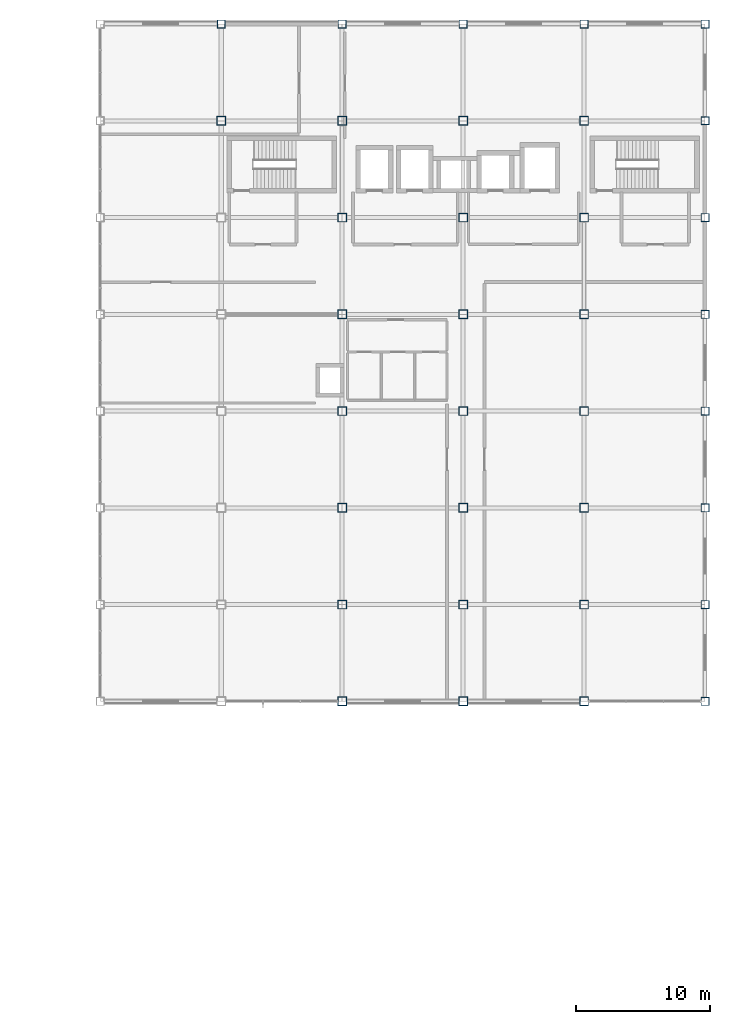
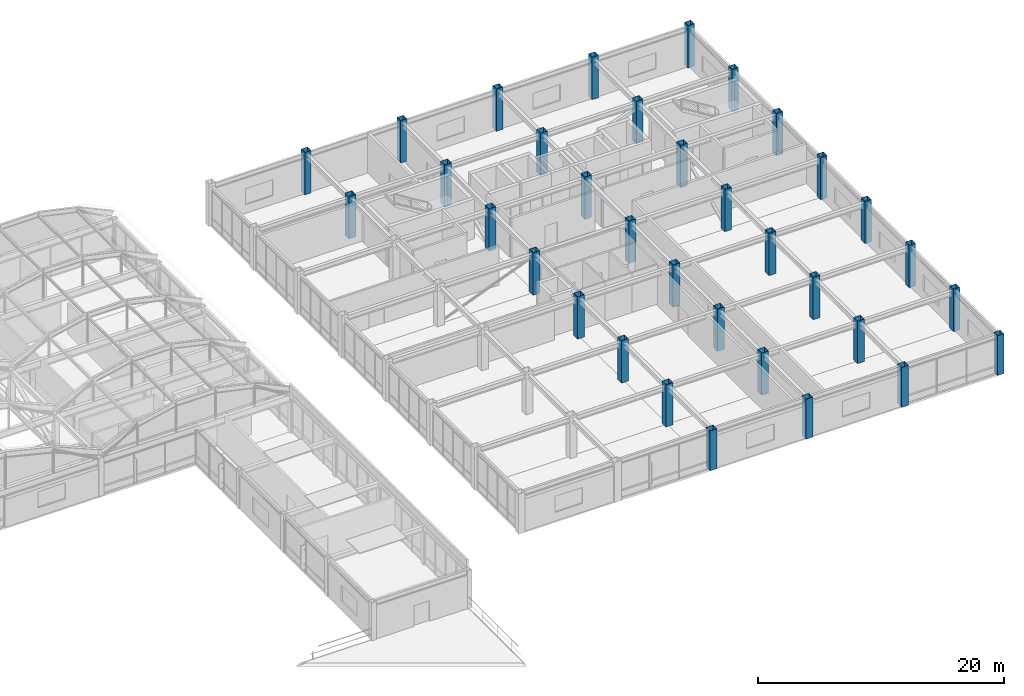
# One storey, part 7 of 106: 34 columns.
"""IFC4 building model written with IfcOpenShell, lengths in metres."""

from ifc_helpers import new_model, si_unit, direction, frame, origin, origin_2d, place, context, subcontext, project, spatial, hollow_rectangle, extrude, material, material_profile, profile_set, type_object, element, save


model = new_model("IFC4")

# Units and contexts
model_context = context("Model", 3, precision=1e-05, world=origin(), true_north=direction((0.0, 1.0)))
body_context = subcontext(model_context, "Body", "Model", "MODEL_VIEW")
ifc_project = project(units=[si_unit("LENGTHUNIT", "METRE"), si_unit("AREAUNIT", "SQUARE_METRE"), si_unit("VOLUMEUNIT", "CUBIC_METRE"), si_unit("PLANEANGLEUNIT", "RADIAN"), si_unit("MASSUNIT", "GRAM", prefix="KILO")], contexts=[model_context])

# Site, building, storey
site_placement = place(None, origin())
site = spatial("IfcSite", under=ifc_project, at=site_placement, CompositionType="ELEMENT")
building_placement = place(site_placement, origin())
building = spatial("IfcBuilding", under=site, at=building_placement, Name="Kazanami Central Library", CompositionType="ELEMENT")
storey_placement = place(building_placement, frame((0.0, 0.0, 12.800048828125)))
storey = spatial("IfcBuildingStorey", under=building, at=storey_placement, Name="L04", CompositionType="ELEMENT", Elevation=12.800048828125)

# Columns
ifc_material = material(Name="Steel BCP325 (325 MPa)", Category="steel")
ifc_material_profile_1 = material_profile(ifc_material, hollow_rectangle(XDim=0.64990234375, YDim=0.64990234375, WallThickness=0.02490234375, at=origin_2d()), Name="BCP-650x650x25")
ifc_profile_set_1 = profile_set([ifc_material_profile_1], Name="Steel BCP325 (325 MPa)")
column_type_1 = type_object("IfcColumnType", Name="COL-C-T2I", PredefinedType="COLUMN", material=ifc_profile_set_1)
column_1_placement = place(storey_placement, frame((126.0, 86.39990234375, 0.0), z_axis=(0.0, 0.0, 1.0), x_axis=(1.0, 0.0, 0.0)))
element("IfcColumn", 1, at=column_1_placement, inside=storey, type_object=column_type_1, Name="Column C-T2I L04 15/N", PredefinedType="COLUMN", context=body_context, shape_type="SweptSolid", body=[
    extrude(hollow_rectangle(XDim=0.64990234375, YDim=0.64990234375, WallThickness=0.02490234375, at=origin_2d()), origin(), (0.0, 0.0, 1.0), 4.199951171875),
])
column_2_placement = place(storey_placement, frame((135.0, 43.199951171875, 0.0), z_axis=(0.0, 0.0, 1.0), x_axis=(1.0, 0.0, 0.0)))
element("IfcColumn", 2, at=column_2_placement, inside=storey, type_object=column_type_1, Name="Column C-T2I L04 16/G", PredefinedType="COLUMN", context=body_context, shape_type="SweptSolid", body=[
    extrude(hollow_rectangle(XDim=0.64990234375, YDim=0.64990234375, WallThickness=0.02490234375, at=origin_2d()), origin(), (0.0, 0.0, 1.0), 3.974853515625),
])
for number, where, z_axis, x_axis, name in (
    (3, (135.0, 50.39990234375, 0.0), (0.0, 0.0, 1.0), (1.0, 0.0, 0.0), "Column C-T2I L04 16/H"),
    (4, (135.0, 57.60009765625, 0.0), (0.0, 0.0, 1.0), (1.0, 0.0, 0.0), "Column C-T2I L04 16/J"),
    (5, (135.0, 64.800048828125, 0.0), (0.0, 0.0, 1.0), (1.0, 0.0, 0.0), "Column C-T2I L04 16/K"),
    (6, (135.0, 72.0, 0.0), (0.0, 0.0, 1.0), (1.0, 0.0, 0.0), "Column C-T2I L04 16/L"),
    (7, (135.0, 79.199951171875, 0.0), (0.0, 0.0, 1.0), (1.0, 0.0, 0.0), "Column C-T2I L04 16/M"),
    (8, (135.0, 86.39990234375, 0.0), (0.0, 0.0, 1.0), (1.0, 0.0, 0.0), "Column C-T2I L04 16/N"),
):
    element("IfcColumn", number, at=place(storey_placement, frame(where, z_axis=z_axis, x_axis=x_axis)), inside=storey, type_object=column_type_1, Name=name, PredefinedType="COLUMN", context=body_context, shape_type="SweptSolid", body=[
        extrude(hollow_rectangle(XDim=0.64990234375, YDim=0.64990234375, WallThickness=0.02490234375, at=origin_2d()), origin(), (0.0, 0.0, 1.0), 4.199951171875),
    ])
column_3_placement = place(storey_placement, frame((144.0, 43.199951171875, 0.0), z_axis=(0.0, 0.0, 1.0), x_axis=(1.0, 0.0, 0.0)))
element("IfcColumn", 9, at=column_3_placement, inside=storey, type_object=column_type_1, Name="Column C-T2I L04 17/G", PredefinedType="COLUMN", context=body_context, shape_type="SweptSolid", body=[
    extrude(hollow_rectangle(XDim=0.64990234375, YDim=0.64990234375, WallThickness=0.02490234375, at=origin_2d()), origin(), (0.0, 0.0, 1.0), 3.974853515625),
])
for number, where, z_axis, x_axis, name in (
    (10, (144.0, 50.39990234375, 0.0), (0.0, 0.0, 1.0), (1.0, 0.0, 0.0), "Column C-T2I L04 17/H"),
    (11, (144.0, 57.60009765625, 0.0), (0.0, 0.0, 1.0), (1.0, 0.0, 0.0), "Column C-T2I L04 17/J"),
    (12, (144.0, 64.800048828125, 0.0), (0.0, 0.0, 1.0), (1.0, 0.0, 0.0), "Column C-T2I L04 17/K"),
    (13, (144.0, 72.0, 0.0), (0.0, 0.0, 1.0), (1.0, 0.0, 0.0), "Column C-T2I L04 17/L"),
    (14, (144.0, 79.199951171875, 0.0), (0.0, 0.0, 1.0), (1.0, 0.0, 0.0), "Column C-T2I L04 17/M"),
    (15, (144.0, 86.39990234375, 0.0), (0.0, 0.0, 1.0), (1.0, 0.0, 0.0), "Column C-T2I L04 17/N"),
):
    element("IfcColumn", number, at=place(storey_placement, frame(where, z_axis=z_axis, x_axis=x_axis)), inside=storey, type_object=column_type_1, Name=name, PredefinedType="COLUMN", context=body_context, shape_type="SweptSolid", body=[
        extrude(hollow_rectangle(XDim=0.64990234375, YDim=0.64990234375, WallThickness=0.02490234375, at=origin_2d()), origin(), (0.0, 0.0, 1.0), 4.199951171875),
    ])
column_4_placement = place(storey_placement, frame((153.0, 43.199951171875, 0.0), z_axis=(0.0, 0.0, 1.0), x_axis=(1.0, 0.0, 0.0)))
element("IfcColumn", 16, at=column_4_placement, inside=storey, type_object=column_type_1, Name="Column C-T2I L04 18/G", PredefinedType="COLUMN", context=body_context, shape_type="SweptSolid", body=[
    extrude(hollow_rectangle(XDim=0.64990234375, YDim=0.64990234375, WallThickness=0.02490234375, at=origin_2d()), origin(), (0.0, 0.0, 1.0), 3.974853515625),
])
for number, where, z_axis, x_axis, name in (
    (17, (153.0, 50.39990234375, 0.0), (0.0, 0.0, 1.0), (1.0, 0.0, 0.0), "Column C-T2I L04 18/H"),
    (18, (153.0, 57.60009765625, 0.0), (0.0, 0.0, 1.0), (1.0, 0.0, 0.0), "Column C-T2I L04 18/J"),
    (19, (153.0, 64.800048828125, 0.0), (0.0, 0.0, 1.0), (1.0, 0.0, 0.0), "Column C-T2I L04 18/K"),
    (20, (153.0, 72.0, 0.0), (0.0, 0.0, 1.0), (1.0, 0.0, 0.0), "Column C-T2I L04 18/L"),
    (21, (153.0, 79.199951171875, 0.0), (0.0, 0.0, 1.0), (1.0, 0.0, 0.0), "Column C-T2I L04 18/M"),
    (22, (153.0, 86.39990234375, 0.0), (0.0, 0.0, 1.0), (1.0, 0.0, 0.0), "Column C-T2I L04 18/N"),
):
    element("IfcColumn", number, at=place(storey_placement, frame(where, z_axis=z_axis, x_axis=x_axis)), inside=storey, type_object=column_type_1, Name=name, PredefinedType="COLUMN", context=body_context, shape_type="SweptSolid", body=[
        extrude(hollow_rectangle(XDim=0.64990234375, YDim=0.64990234375, WallThickness=0.02490234375, at=origin_2d()), origin(), (0.0, 0.0, 1.0), 4.199951171875),
    ])
ifc_material_profile_2 = material_profile(ifc_material, hollow_rectangle(XDim=0.60009765625, YDim=0.60009765625, WallThickness=0.02490234375, at=origin_2d()), Name="BCP-600x600x25")
ifc_profile_set_2 = profile_set([ifc_material_profile_2], Name="Steel BCP325 (325 MPa)")
column_type_2 = type_object("IfcColumnType", Name="COL-C-T2P", PredefinedType="COLUMN", material=ifc_profile_set_2)
for number, where, z_axis, x_axis, name in (
    (23, (126.0, 93.60009765625, 0.0), (0.0, 0.0, 1.0), (1.0, 0.0, 0.0), "Column C-T2P L04 15/O"),
    (24, (135.0, 93.60009765625, 0.0), (0.0, 0.0, 1.0), (1.0, 0.0, 0.0), "Column C-T2P L04 16/O"),
    (25, (144.0, 93.60009765625, 0.0), (0.0, 0.0, 1.0), (1.0, 0.0, 0.0), "Column C-T2P L04 17/O"),
    (26, (153.0, 93.60009765625, 0.0), (0.0, 0.0, 1.0), (1.0, 0.0, 0.0), "Column C-T2P L04 18/O"),
):
    element("IfcColumn", number, at=place(storey_placement, frame(where, z_axis=z_axis, x_axis=x_axis)), inside=storey, type_object=column_type_2, Name=name, PredefinedType="COLUMN", context=body_context, shape_type="SweptSolid", body=[
        extrude(hollow_rectangle(XDim=0.60009765625, YDim=0.60009765625, WallThickness=0.02490234375, at=origin_2d()), origin(), (0.0, 0.0, 1.0), 4.199951171875),
    ])
column_5_placement = place(storey_placement, frame((162.0, 43.199951171875, 0.0), z_axis=(0.0, 0.0, 1.0), x_axis=(1.0, 0.0, 0.0)))
element("IfcColumn", 27, at=column_5_placement, inside=storey, type_object=column_type_2, Name="Column C-T2P L04 19/G", PredefinedType="COLUMN", context=body_context, shape_type="SweptSolid", body=[
    extrude(hollow_rectangle(XDim=0.60009765625, YDim=0.60009765625, WallThickness=0.02490234375, at=origin_2d()), origin(), (0.0, 0.0, 1.0), 3.974853515625),
])
for number, where, z_axis, x_axis, name in (
    (28, (162.0, 50.39990234375, 0.0), (0.0, 0.0, 1.0), (1.0, 0.0, 0.0), "Column C-T2P L04 19/H"),
    (29, (162.0, 57.60009765625, 0.0), (0.0, 0.0, 1.0), (1.0, 0.0, 0.0), "Column C-T2P L04 19/J"),
    (30, (162.0, 64.800048828125, 0.0), (0.0, 0.0, 1.0), (1.0, 0.0, 0.0), "Column C-T2P L04 19/K"),
    (31, (162.0, 72.0, 0.0), (0.0, 0.0, 1.0), (1.0, 0.0, 0.0), "Column C-T2P L04 19/L"),
    (32, (162.0, 79.199951171875, 0.0), (0.0, 0.0, 1.0), (1.0, 0.0, 0.0), "Column C-T2P L04 19/M"),
    (33, (162.0, 86.39990234375, 0.0), (0.0, 0.0, 1.0), (1.0, 0.0, 0.0), "Column C-T2P L04 19/N"),
    (34, (162.0, 93.60009765625, 0.0), (0.0, 0.0, 1.0), (1.0, 0.0, 0.0), "Column C-T2P L04 19/O"),
):
    element("IfcColumn", number, at=place(storey_placement, frame(where, z_axis=z_axis, x_axis=x_axis)), inside=storey, type_object=column_type_2, Name=name, PredefinedType="COLUMN", context=body_context, shape_type="SweptSolid", body=[
        extrude(hollow_rectangle(XDim=0.60009765625, YDim=0.60009765625, WallThickness=0.02490234375, at=origin_2d()), origin(), (0.0, 0.0, 1.0), 4.199951171875),
    ])

save(model, "model.ifc")
